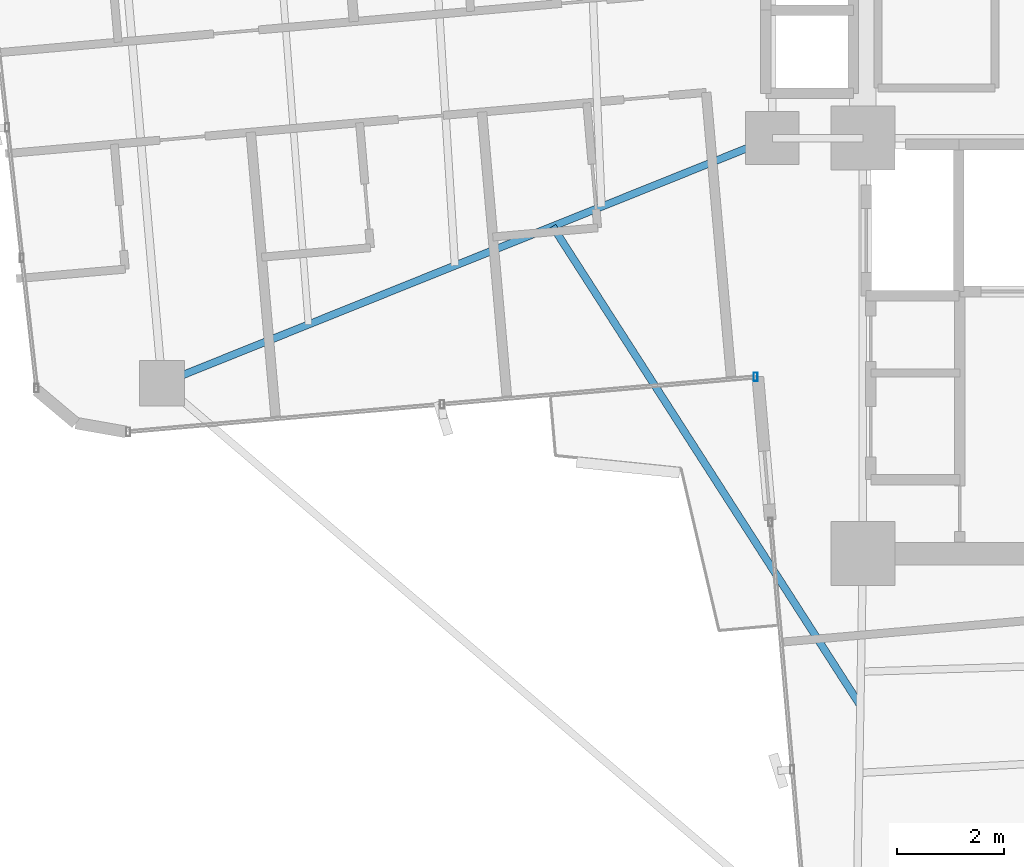
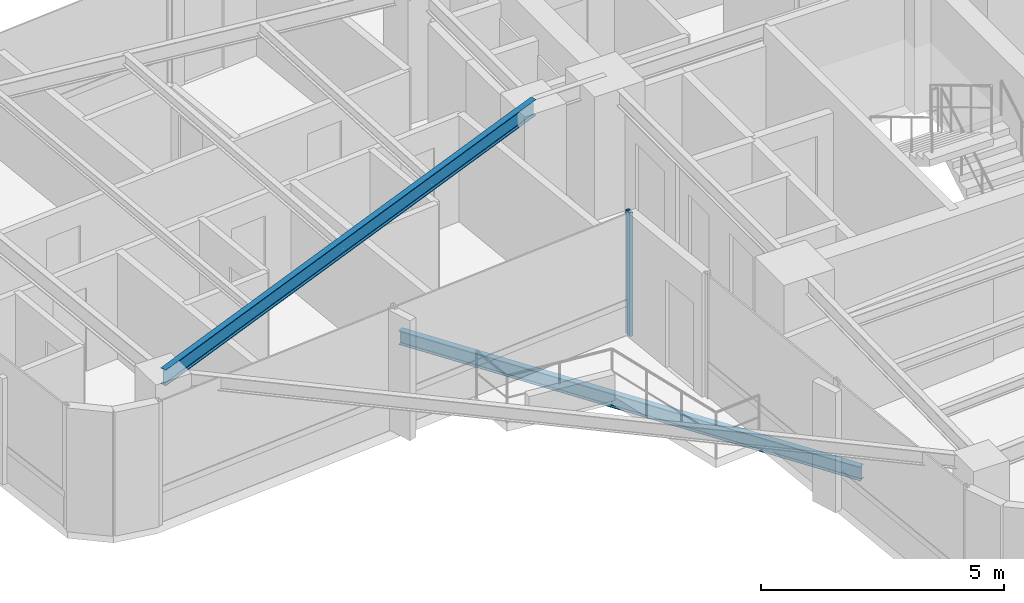
# One storey, part 5 of 24: 2 beams, 1 member, 1 element without a shape of its own.
"""IFC4 building model written with IfcOpenShell, lengths in metres."""

from ifc_helpers import new_model, si_unit, direction, frame, origin, origin_2d, place, context, subcontext, project, spatial, hollow_rectangle, i_section, extrude, source, transform, mapped, material, material_profile, profile_set, type_object, element, aggregate, save


model = new_model("IFC4")

# Units and contexts
model_context = context("Model", 3, precision=1e-05, world=origin(), true_north=direction((0.0, 1.0)))
body_context = subcontext(model_context, "Body", "Model", "MODEL_VIEW")
ifc_project = project(units=[si_unit("LENGTHUNIT", "METRE"), si_unit("AREAUNIT", "SQUARE_METRE"), si_unit("VOLUMEUNIT", "CUBIC_METRE"), si_unit("PLANEANGLEUNIT", "RADIAN"), si_unit("MASSUNIT", "GRAM", prefix="KILO")], contexts=[model_context])

# Site, building, storey
site_placement = place(None, origin())
site = spatial("IfcSite", under=ifc_project, at=site_placement, CompositionType="ELEMENT")
building_placement = place(site_placement, origin())
building = spatial("IfcBuilding", under=site, at=building_placement, Name="Sahyath Konkavel Grand Hotel", CompositionType="ELEMENT")
storey_placement = place(building_placement, frame((0.0, 0.0, 153.949951171875)))
storey = spatial("IfcBuildingStorey", under=building, at=storey_placement, Name="L42", CompositionType="ELEMENT", Elevation=153.949951171875)

# Beam
ifc_material_1 = material(Name="Steel E350", Category="steel")
ifc_material_profile_1 = material_profile(ifc_material_1, i_section(OverallWidth=0.139892578125, OverallDepth=0.39990234375, WebThickness=0.0087890625, FlangeThickness=0.01611328125, FilletRadius=0.013916015625, at=origin_2d()), Name="ISMB 400")
ifc_profile_set_1 = profile_set([ifc_material_profile_1], Name="Steel E350")
beam_type_1 = type_object("IfcBeamType", Name="BM-ISMB400", PredefinedType="BEAM", material=ifc_profile_set_1)
shared_shape_1 = source(origin(), body_context, "Body", "SweptSolid", [
    extrude(i_section(OverallWidth=0.139892578125, OverallDepth=0.39990234375, WebThickness=0.0087890625, FlangeThickness=0.01611328125, FilletRadius=0.013916015625, at=origin_2d()), origin(), (0.0, 0.0, 1.0), 12.344970703125),
])
beam_1_placement = place(storey_placement, frame((-5.5, -2.39990234375, 2.91015625), z_axis=(-0.927837014101, -0.372985891507, 0.0), x_axis=(0.372985891507, -0.927837014101, 0.0)))
element("IfcBeam", 1, at=beam_1_placement, inside=storey, type_object=beam_type_1, Name="L42 Cruciform Radial Girder WB", PredefinedType="BEAM", context=body_context, shape_type="MappedRepresentation", body=[
    mapped(shared_shape_1, transform((0.0, 0.0, 0.0), scale=1.0)),
])

# Curtain wall, member
ifc_material_2 = material(Name="Anodised Bronze Aluminium & Low-E Glazing", Category="aluminium")
curtain_wall_type = type_object("IfcCurtainWallType", Name="CW-ZONE3", PredefinedType="NOTDEFINED", material=ifc_material_2)
curtain_wall_placement = place(storey_placement, origin())
curtain_wall = element("IfcCurtainWall", 2, at=curtain_wall_placement, inside=storey, type_object=curtain_wall_type, Name="L42 Unitised Curtain Wall F23", PredefinedType="NOTDEFINED")
ifc_material_3 = material(Name="Anodised Bronze Aluminium", Category="aluminium")
ifc_material_profile_2 = material_profile(ifc_material_3, hollow_rectangle(XDim=0.080078125, YDim=0.159912109375, WallThickness=0.006103515625, at=origin_2d()), Name="RHS 160x80x6")
ifc_profile_set_2 = profile_set([ifc_material_profile_2], Name="Anodised Bronze Aluminium")
member_type = type_object("IfcMemberType", Name="CW-MUL-160", PredefinedType="MULLION", material=ifc_profile_set_2)
shared_shape_2 = source(origin(), body_context, "Body", "SweptSolid", [
    extrude(hollow_rectangle(XDim=0.080078125, YDim=0.159912109375, WallThickness=0.006103515625, at=origin_2d()), origin(), (0.0, 0.0, 1.0), 3.110107421875),
])
member_placement = place(storey_placement, frame((-5.812255859375, -6.8828125, 0.0), z_axis=(0.0, 0.0, 1.0), x_axis=(1.0, 0.0, 0.0)))
member = element("IfcMember", 3, at=member_placement, type_object=member_type, Name="L42 Curtain Wall Mullion F23-2", PredefinedType="MULLION", context=body_context, shape_type="MappedRepresentation", body=[
    mapped(shared_shape_2, transform((0.0, 0.0, 0.0), scale=1.0)),
])
aggregate(curtain_wall, [member])

# Beam
ifc_material_profile_3 = material_profile(ifc_material_1, i_section(OverallWidth=0.139892578125, OverallDepth=0.35009765625, WebThickness=0.008056640625, FlangeThickness=0.01416015625, FilletRadius=0.013916015625, at=origin_2d()), Name="ISMB 350")
ifc_profile_set_3 = profile_set([ifc_material_profile_3], Name="Steel E350")
beam_type_2 = type_object("IfcBeamType", Name="BM-BALC-CANT", PredefinedType="BEAM", material=ifc_profile_set_3)
shared_shape_3 = source(origin(), body_context, "Body", "SweptSolid", [
    extrude(i_section(OverallWidth=0.139892578125, OverallDepth=0.35009765625, WebThickness=0.008056640625, FlangeThickness=0.01416015625, FilletRadius=0.013916015625, at=origin_2d()), origin(), (0.0, 0.0, 1.0), 10.685302734375),
])
beam_2_placement = place(storey_placement, frame((-9.62353515625, -4.0576171875, -0.4150390625), z_axis=(0.540404181048, -0.841405562797, 0.0), x_axis=(0.841405562797, 0.540404181048, 0.0)))
element("IfcBeam", 4, at=beam_2_placement, inside=storey, type_object=beam_type_2, Name="L42 Balcony Cantilever Support Beam SW", PredefinedType="BEAM", context=body_context, shape_type="MappedRepresentation", body=[
    mapped(shared_shape_3, transform((0.0, 0.0, 0.0), scale=1.0)),
])

save(model, "model.ifc")
